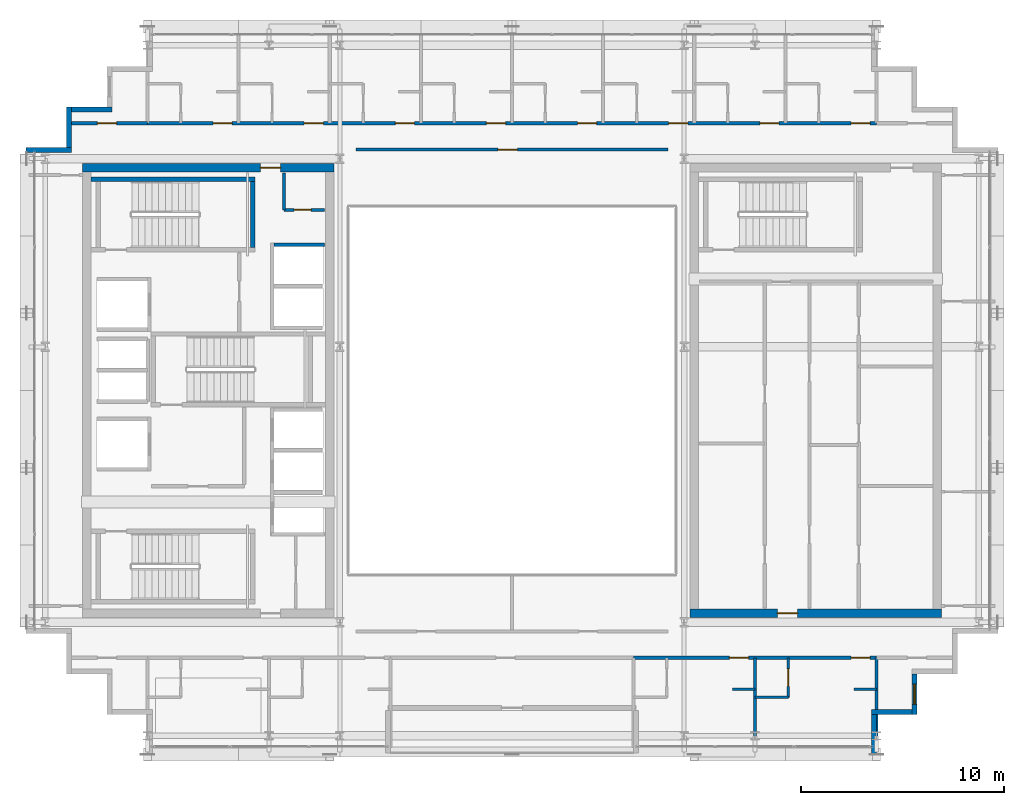
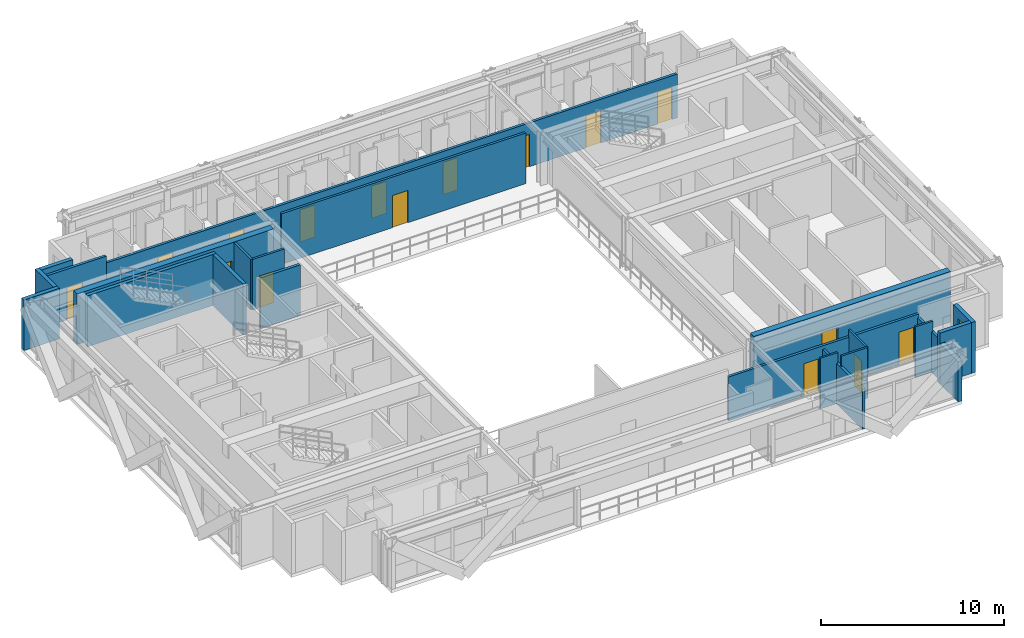
# One storey, part 21 of 28: 23 walls, 16 doors, 1 window, 17 openings.
"""IFC4 building model written with IfcOpenShell, lengths in metres."""

import ifcopenshell
import ifcopenshell.guid

model = None  # the IFC model being written
_history = None  # IfcOwnerHistory: only IFC2X3 demands one
_inside = {}  # id of a spatial element -> (the spatial element, [elements in it])
_under = {}  # id of a project, library or spatial element -> (it, [spatial elements below it])
_declared = {}  # id of a project -> (the project, [libraries it declares])
_typed = {}  # id of a type object -> (the type object, [elements of that type])
_made_of = {}  # id of a material, layer set ... -> (it, [elements and type objects made of it])


def new_model(schema):
    """Start an empty IFC model of exactly this schema.

    Asked for "IFC4X3", IfcOpenShell would pick the latest addendum, in which some entities
    have other attributes; the version numbers below select the first issue.
    IFC2X3 requires an IfcOwnerHistory on every rooted entity: one is made here for all.
    """
    global model, _history
    if schema == "IFC4X3":
        model = ifcopenshell.file(schema_version=(4, 3, 0, 0))
    else:
        model = ifcopenshell.file(schema=schema)
    _inside.clear()
    _under.clear()
    _declared.clear()
    _typed.clear()
    _made_of.clear()
    _history = None
    if model.schema == "IFC2X3":
        org = make("IfcOrganization", Name="unknown")
        user = make(
            "IfcPersonAndOrganization",
            ThePerson=make("IfcPerson", FamilyName="unknown"),
            TheOrganization=org,
        )
        app = make(
            "IfcApplication",
            ApplicationDeveloper=org,
            Version="unknown",
            ApplicationFullName="unknown",
            ApplicationIdentifier="unknown",
        )
        _history = make(
            "IfcOwnerHistory",
            OwningUser=user,
            OwningApplication=app,
            ChangeAction="ADDED",
            CreationDate=0,
        )
    return model


def make(cls, **values):
    """One entity of the class cls with the attributes given. An attribute that is None is left unset."""
    return model.create_entity(
        cls, **{name: value for name, value in values.items() if value is not None}
    )


def rooted(cls, **values):
    """An entity with a GlobalId (a new one), such as an element, a storey or a relation."""
    return make(cls, GlobalId=ifcopenshell.guid.new(), OwnerHistory=_history, **values)


def si_unit(unit_type, name, prefix=None):
    """IfcSIUnit, for example si_unit("LENGTHUNIT", "METRE", prefix="MILLI")."""
    return make("IfcSIUnit", UnitType=unit_type, Prefix=prefix, Name=name)


def assignment(units):
    """IfcUnitAssignment: the units of a project."""
    return None if units is None else make("IfcUnitAssignment", Units=units)


def point(xyz):
    """IfcCartesianPoint."""
    return None if xyz is None else make("IfcCartesianPoint", Coordinates=xyz)


def direction(xyz):
    """IfcDirection."""
    return None if xyz is None else make("IfcDirection", DirectionRatios=xyz)


def frame(location, z_axis=None, x_axis=None):
    """IfcAxis2Placement3D, a coordinate frame: its origin and axes. An axis left out is left unset."""
    return make(
        "IfcAxis2Placement3D",
        Location=point(location),
        Axis=direction(z_axis),
        RefDirection=direction(x_axis),
    )


def frame_2d(location, x_axis=None):
    """IfcAxis2Placement2D, a coordinate frame in the plane: its origin and x axis."""
    return make(
        "IfcAxis2Placement2D", Location=point(location), RefDirection=direction(x_axis)
    )


def origin():
    """The frame at (0, 0, 0) with its axes left unset."""
    return frame((0.0, 0.0, 0.0))


def place(relative_to, where):
    """IfcLocalPlacement: puts the frame where relative to a parent placement (None: the world)."""
    return make(
        "IfcLocalPlacement", PlacementRelTo=relative_to, RelativePlacement=where
    )


def context(
    kind, dimensions, precision=None, world=None, true_north=None, identifier=None
):
    """IfcGeometricRepresentationContext, for example the 3D "Model" context."""
    return make(
        "IfcGeometricRepresentationContext",
        ContextIdentifier=identifier,
        ContextType=kind,
        CoordinateSpaceDimension=dimensions,
        Precision=precision,
        WorldCoordinateSystem=world,
        TrueNorth=true_north,
    )


def subcontext(parent, identifier, kind, view, scale=None):
    """IfcGeometricRepresentationSubContext, for example "Body" below "Model"."""
    return make(
        "IfcGeometricRepresentationSubContext",
        ContextIdentifier=identifier,
        ContextType=kind,
        ParentContext=parent,
        TargetScale=scale,
        TargetView=view,
    )


def project(units=None, contexts=None):
    """IfcProject with its units and contexts."""
    return rooted(
        "IfcProject",
        Name="project",
        RepresentationContexts=contexts,
        UnitsInContext=assignment(units),
    )


def spatial(cls, under=None, at=None, **own):
    """A site, building, storey or space (cls), placed at a placement, below another one or the project."""
    s = rooted(cls, ObjectPlacement=at, **own)
    if under is not None:
        _under.setdefault(under.id(), (under, []))[1].append(s)
    return s


def profile(cls, at=None, kind="AREA", **sizes):
    """A parametric profile (cls). Its sizes go by their IFC names, for example OverallWidth=200.0."""
    return make(cls, ProfileType=kind, Position=at, **sizes)


def rectangle(**sizes):
    """IfcRectangleProfileDef."""
    return profile("IfcRectangleProfileDef", **sizes)


def extrude(swept, where, along, depth):
    """IfcExtrudedAreaSolid: the profile swept, set in the frame where, extruded along a direction by depth."""
    return make(
        "IfcExtrudedAreaSolid",
        SweptArea=swept,
        Position=where,
        ExtrudedDirection=direction(along),
        Depth=depth,
    )


def shape(context_of_items, identifier, shape_type, items):
    """IfcShapeRepresentation: the items that make up one representation, for example the "Body"."""
    return make(
        "IfcShapeRepresentation",
        ContextOfItems=context_of_items,
        RepresentationIdentifier=identifier,
        RepresentationType=shape_type,
        Items=items,
    )


def source(mapping_origin, context_of_items, identifier, shape_type, items):
    """IfcRepresentationMap: a shape defined once, which mapped items show again and again."""
    return make(
        "IfcRepresentationMap",
        MappingOrigin=mapping_origin,
        MappedRepresentation=shape(context_of_items, identifier, shape_type, items),
    )


def transform(
    local_origin,
    x_axis=None,
    y_axis=None,
    z_axis=None,
    scale=None,
    scale2=None,
    scale3=None,
    uniform=True,
):
    """IfcCartesianTransformationOperator3D, or its non-uniform kind. x_axis, y_axis, z_axis: its Axis1, 2, 3."""
    if uniform:
        return make(
            "IfcCartesianTransformationOperator3D",
            Axis1=direction(x_axis),
            Axis2=direction(y_axis),
            LocalOrigin=point(local_origin),
            Scale=scale,
            Axis3=direction(z_axis),
        )
    return make(
        "IfcCartesianTransformationOperator3DnonUniform",
        Axis1=direction(x_axis),
        Axis2=direction(y_axis),
        LocalOrigin=point(local_origin),
        Scale=scale,
        Axis3=direction(z_axis),
        Scale2=scale2,
        Scale3=scale3,
    )


def mapped(mapping_source, mapping_target):
    """IfcMappedItem: shows the shape of a source again, moved by a transform."""
    return make(
        "IfcMappedItem", MappingSource=mapping_source, MappingTarget=mapping_target
    )


def material(Name=None, Category=None):
    """IfcMaterial."""
    return make("IfcMaterial", Name=Name, Category=Category)


def layer(
    of_material, thickness, ventilated=None, Name=None, Category=None, Priority=None
):
    """IfcMaterialLayer: one layer of a wall or slab, of a material (None: an air gap)."""
    return make(
        "IfcMaterialLayer",
        Material=of_material,
        LayerThickness=thickness,
        IsVentilated=ventilated,
        Name=Name,
        Category=Category,
        Priority=Priority,
    )


def layer_set(layers, Name=None):
    """IfcMaterialLayerSet."""
    return make("IfcMaterialLayerSet", MaterialLayers=layers, LayerSetName=Name)


def made_of(thing, what):
    """Note that an element or type object is made of a material, layer set ...; save() writes the relation."""
    if what is not None:
        _made_of.setdefault(what.id(), (what, []))[1].append(thing)
    return thing


def type_object(cls, material=None, **own):
    """A type object (cls), such as IfcWallType, which elements share."""
    return made_of(rooted(cls, **own), material)


def element(
    cls,
    number,
    at=None,
    inside=None,
    cuts=None,
    type_object=None,
    material=None,
    context=None,
    identifier="Body",
    shape_type=None,
    held_by="IfcProductDefinitionShape",
    body=None,
    shapes=None,
    **own,
):
    """One element of the class cls, such as IfcWall. Its Tag is "e" and its number.

    at: its placement. inside: the storey or other place that contains it. cuts: it is an
    opening in that element (IfcRelVoidsElement). A single representation is given by context,
    identifier, shape_type and body (its items); several are given by shapes. held_by: the class
    of the entity that holds the representations. save() writes the other relations.
    """
    e = rooted(cls, Tag="e%d" % number, ObjectPlacement=at, **own)
    if body is not None:
        shapes = [shape(context, identifier, shape_type, body)]
    if shapes is not None:
        e.Representation = make(held_by, Representations=shapes)
    if inside is not None:
        _inside.setdefault(inside.id(), (inside, []))[1].append(e)
    if cuts is not None:
        rooted(
            "IfcRelVoidsElement", RelatingBuildingElement=cuts, RelatedOpeningElement=e
        )
    if type_object is not None:
        _typed.setdefault(type_object.id(), (type_object, []))[1].append(e)
    return made_of(e, material)


def fill(opening, filler):
    """IfcRelFillsElement: the door or window that sits in an opening."""
    return rooted(
        "IfcRelFillsElement",
        RelatingOpeningElement=opening,
        RelatedBuildingElement=filler,
    )


def aggregate(whole, parts):
    """IfcRelAggregates: a whole, such as a stair, and the parts it consists of."""
    return rooted("IfcRelAggregates", RelatingObject=whole, RelatedObjects=parts)


def save(model, path):
    """Write the relations noted so far, then the file.

    IfcRelAggregates (storeys below a building ...), IfcRelContainedInSpatialStructure (elements
    in a storey), IfcRelDefinesByType, IfcRelAssociatesMaterial and IfcRelDeclares: one each for
    every whole, place, type object, material and project.
    """
    for whole, parts in _under.values():
        aggregate(whole, parts)
    for where, things in _inside.values():
        rooted(
            "IfcRelContainedInSpatialStructure",
            RelatedElements=things,
            RelatingStructure=where,
        )
    for kind, things in _typed.values():
        rooted("IfcRelDefinesByType", RelatedObjects=things, RelatingType=kind)
    for what, things in _made_of.values():
        rooted("IfcRelAssociatesMaterial", RelatedObjects=things, RelatingMaterial=what)
    for by, libraries in _declared.values():
        rooted("IfcRelDeclares", RelatingContext=by, RelatedDefinitions=libraries)
    model.write(path)


model = new_model("IFC4")

# Units and contexts
model_context = context("Model", 3, precision=1e-05, world=origin(), true_north=direction((0.0, 1.0)))
body_context = subcontext(model_context, "Body", "Model", "MODEL_VIEW")
ifc_project = project(units=[si_unit("LENGTHUNIT", "METRE"), si_unit("AREAUNIT", "SQUARE_METRE"), si_unit("VOLUMEUNIT", "CUBIC_METRE"), si_unit("PLANEANGLEUNIT", "RADIAN"), si_unit("MASSUNIT", "GRAM", prefix="KILO")], contexts=[model_context])

# Site, building, storey
site_placement = place(None, origin())
site = spatial("IfcSite", under=ifc_project, at=site_placement, CompositionType="ELEMENT")
building_placement = place(site_placement, origin())
building = spatial("IfcBuilding", under=site, at=building_placement, Name="Ocotamira Hotel", CompositionType="ELEMENT")
storey_placement = place(building_placement, frame((0.0, 0.0, 240.0)))
storey = spatial("IfcBuildingStorey", under=building, at=storey_placement, Name="L60", CompositionType="ELEMENT", Elevation=240.0)

# Wall, opening, door
ifc_material_1 = material(Name="Concrete C50/60", Category="concrete")
ifc_layer_1 = layer(ifc_material_1, 0.39990234375)
ifc_layer_set_1 = layer_set([ifc_layer_1], Name="Concrete C50/60")
wall_type_1 = type_object("IfcWallType", Name="WL-CORE-400", PredefinedType="SHEAR", material=ifc_layer_set_1)
wall_1_placement = place(storey_placement, frame((10.800048828125, 37.0, 0.0), z_axis=(0.0, 0.0, 1.0), x_axis=(1.0, 0.0, 0.0)))
wall_1 = element("IfcWall", 1, at=wall_1_placement, inside=storey, type_object=wall_type_1, Name="L60 Shear Core Wall WCORE-N", PredefinedType="SHEAR", context=body_context, shape_type="SweptSolid", body=[
    extrude(rectangle(XDim=12.39990234375, YDim=0.39990234375, at=frame_2d((6.199951171875, 0.0))), origin(), (0.0, 0.0, 1.0), 3.3798828125),
])
opening_1_placement = place(wall_1_placement, frame((8.780029296875, 0.0, 0.0)))
opening_1 = element("IfcOpeningElement", 2, at=opening_1_placement, cuts=wall_1, Name="Opening D-FR2", PredefinedType="OPENING", context=body_context, shape_type="SweptSolid", body=[
    extrude(rectangle(XDim=1.0, YDim=2.14990234375, at=frame_2d((0.5, 1.074951171875))), frame((0.0, 0.2099609375, 0.0), z_axis=(0.0, -1.0, 0.0), x_axis=(1.0, 0.0, 0.0)), (0.0, 0.0, 1.0), 0.419921875),
])
ifc_material_2 = material(Name="Fire-rated acoustic timber-veneer door", Category="wood")
door_type_1 = type_object("IfcDoorType", Name="DR-FIRE-1000", OperationType="NOTDEFINED", PredefinedType="DOOR", material=ifc_material_2)
shared_shape_1 = source(origin(), body_context, "Body", "SweptSolid", [
    extrude(rectangle(XDim=1.0, YDim=2.14990234375, at=frame_2d((0.5, 1.074951171875))), frame((0.0, 0.02490234375, 0.0), z_axis=(0.0, -1.0, 0.0), x_axis=(1.0, 0.0, 0.0)), (0.0, 0.0, 1.0), 0.050048828125),
])
door_1_placement = place(opening_1_placement, origin())
door_1 = element("IfcDoor", 3, at=door_1_placement, inside=storey, type_object=door_type_1, Name="L60 Door ID-L60-WLOB-N-D [ID-L60-WLOB-N-D]", OperationType="SINGLE_SWING_RIGHT", OverallHeight=2.14990234375, OverallWidth=1.0, PredefinedType="DOOR", context=body_context, shape_type="MappedRepresentation", body=[
    mapped(shared_shape_1, transform((0.0, 0.0, 0.0), scale=1.0)),
])
fill(opening_1, door_1)

wall_2_placement = place(storey_placement, frame((40.800048828125, 15.0, 0.0), z_axis=(0.0, 0.0, 1.0), x_axis=(1.0, 0.0, 0.0)))
wall_2 = element("IfcWall", 4, at=wall_2_placement, inside=storey, type_object=wall_type_1, Name="L60 Shear Core Wall ECORE-S", PredefinedType="SHEAR", context=body_context, shape_type="SweptSolid", body=[
    extrude(rectangle(XDim=12.39990234375, YDim=0.39990234375, at=frame_2d((6.199951171875, 0.0))), origin(), (0.0, 0.0, 1.0), 3.3798828125),
])
opening_2_placement = place(wall_2_placement, frame((4.300048828125, 0.0, 0.0)))
opening_2 = element("IfcOpeningElement", 5, at=opening_2_placement, cuts=wall_2, Name="Opening D-FR2", PredefinedType="OPENING", context=body_context, shape_type="SweptSolid", body=[
    extrude(rectangle(XDim=1.0, YDim=2.14990234375, at=frame_2d((0.5, 1.074951171875))), frame((0.0, 0.2099609375, 0.0), z_axis=(0.0, -1.0, 0.0), x_axis=(1.0, 0.0, 0.0)), (0.0, 0.0, 1.0), 0.419921875),
])
door_2_placement = place(opening_2_placement, origin())
door_2 = element("IfcDoor", 6, at=door_2_placement, inside=storey, type_object=door_type_1, Name="L60 Door ID-L60-ELOB-S-D [ID-L60-ELOB-S-D]", OperationType="SINGLE_SWING_RIGHT", OverallHeight=2.14990234375, OverallWidth=1.0, PredefinedType="DOOR", context=body_context, shape_type="MappedRepresentation", body=[
    mapped(shared_shape_1, transform((0.0, 0.0, 0.0), scale=1.0)),
])
fill(opening_2, door_2)

# Walls
ifc_material_3 = material(Name="Precast concrete C45/55", Category="concrete")
ifc_layer_2 = layer(ifc_material_3, 0.25)
ifc_layer_set_2 = layer_set([ifc_layer_2], Name="Precast concrete C45/55")
wall_type_2 = type_object("IfcWallType", Name="WL-EXT-SER-250", PredefinedType="SOLIDWALL", material=ifc_layer_set_2)
wall_3_placement = place(storey_placement, frame((49.875, 8.0, 0.0), z_axis=(0.0, 0.0, 1.0), x_axis=(0.0, 1.0, 0.0)))
element("IfcWall", 7, at=wall_3_placement, inside=storey, type_object=wall_type_2, Name="L60 Serrated Corner Wall 01", PredefinedType="SOLIDWALL", context=body_context, shape_type="SweptSolid", body=[
    extrude(rectangle(XDim=2.0, YDim=0.25, at=frame_2d((1.0, 0.0))), origin(), (0.0, 0.0, 1.0), 2.68701171875),
])
wall_4_placement = place(storey_placement, frame((49.75, 10.125, 0.0), z_axis=(0.0, 0.0, 1.0), x_axis=(1.0, 0.0, 0.0)))
element("IfcWall", 8, at=wall_4_placement, inside=storey, type_object=wall_type_2, Name="L60 Serrated Corner Wall 02", PredefinedType="SOLIDWALL", context=body_context, shape_type="SweptSolid", body=[
    extrude(rectangle(XDim=2.0, YDim=0.25, at=frame_2d((1.0, 0.0))), origin(), (0.0, 0.0, 1.0), 3.3798828125),
])

# Wall, opening, window
wall_5_placement = place(storey_placement, frame((51.875, 10.0, 0.0), z_axis=(0.0, 0.0, 1.0), x_axis=(0.0, 1.0, 0.0)))
wall_5 = element("IfcWall", 9, at=wall_5_placement, inside=storey, type_object=wall_type_2, Name="L60 Serrated Corner Wall 03", PredefinedType="SOLIDWALL", context=body_context, shape_type="SweptSolid", body=[
    extrude(rectangle(XDim=2.0, YDim=0.25, at=frame_2d((1.0, 0.0))), origin(), (0.0, 0.0, 1.0), 3.3798828125),
])
opening_3_placement = place(wall_5_placement, frame((0.5, 0.0, 0.85009765625)))
opening_3 = element("IfcOpeningElement", 10, at=opening_3_placement, cuts=wall_5, Name="Opening WN-2", PredefinedType="OPENING", context=body_context, shape_type="SweptSolid", body=[
    extrude(rectangle(XDim=1.0, YDim=1.89990234375, at=frame_2d((0.5, 0.949951171875))), frame((0.0, 0.135009765625, 0.0), z_axis=(0.0, -1.0, 0.0), x_axis=(1.0, 0.0, 0.0)), (0.0, 0.0, 1.0), 0.27001953125),
])
ifc_material_4 = material(Name="Double-silver low-E solar glass", Category="glass")
window_type = type_object("IfcWindowType", Name="WIN-SER-1100", PartitioningType="SINGLE_PANEL", PredefinedType="WINDOW", material=ifc_material_4)
shared_shape_2 = source(origin(), body_context, "Body", "SweptSolid", [
    extrude(rectangle(XDim=1.0, YDim=1.89990234375, at=frame_2d((0.5, 0.949951171875))), frame((0.0, 0.030029296875, 0.0), z_axis=(0.0, -1.0, 0.0), x_axis=(1.0, 0.0, 0.0)), (0.0, 0.0, 1.0), 0.06005859375),
])
window_placement = place(opening_3_placement, origin())
window = element("IfcWindow", 11, at=window_placement, inside=storey, type_object=window_type, Name="L60 Serrated Corner Window 03", OverallHeight=1.89990234375, OverallWidth=1.0, PartitioningType="SINGLE_PANEL", PredefinedType="WINDOW", context=body_context, shape_type="MappedRepresentation", body=[
    mapped(shared_shape_2, transform((0.0, 0.0, 0.0), scale=1.0)),
])
fill(opening_3, window)

# Walls
for number, where, z_axis, x_axis, name in (
    (12, (12.25, 39.875, 0.0), (0.0, 0.0, 1.0), (-1.0, 0.0, 0.0), "L60 Serrated Corner Wall 16"),
    (13, (10.125, 40.0, 0.0), (0.0, 0.0, 1.0), (0.0, -1.0, 0.0), "L60 Serrated Corner Wall 17"),
):
    element("IfcWall", number, at=place(storey_placement, frame(where, z_axis=z_axis, x_axis=x_axis)), inside=storey, type_object=wall_type_2, Name=name, PredefinedType="SOLIDWALL", context=body_context, shape_type="SweptSolid", body=[
        extrude(rectangle(XDim=2.0, YDim=0.25, at=frame_2d((1.0, 0.0))), origin(), (0.0, 0.0, 1.0), 3.3798828125),
    ])
wall_6_placement = place(storey_placement, frame((10.25, 37.875, 0.0), z_axis=(0.0, 0.0, 1.0), x_axis=(-1.0, 0.0, 0.0)))
element("IfcWall", 14, at=wall_6_placement, inside=storey, type_object=wall_type_2, Name="L60 Serrated Corner Wall 18", PredefinedType="SOLIDWALL", context=body_context, shape_type="SweptSolid", body=[
    extrude(rectangle(XDim=2.25, YDim=0.25, at=frame_2d((1.125, 0.0))), origin(), (0.0, 0.0, 1.0), 3.3798828125),
])

# Wall, openings, doors
ifc_material_5 = material(Name="Acoustic double-layer fire gypsum board partition", Category="gypsum")
ifc_layer_3 = layer(ifc_material_5, 0.159912109375)
ifc_layer_set_3 = layer_set([ifc_layer_3], Name="Acoustic double-layer fire gypsum board partition")
wall_type_3 = type_object("IfcWallType", Name="WL-FIRE-160", PredefinedType="PARTITIONING", material=ifc_layer_set_3)
wall_7_placement = place(storey_placement, frame((38.0, 12.800048828125, 0.0), z_axis=(0.0, 0.0, 1.0), x_axis=(1.0, 0.0, 0.0)))
wall_7 = element("IfcWall", 15, at=wall_7_placement, inside=storey, type_object=wall_type_3, Name="L60 Interior Wall PW-L60-Z4BSE-CORRW", PredefinedType="PARTITIONING", context=body_context, shape_type="SweptSolid", body=[
    extrude(rectangle(XDim=12.0, YDim=0.159912109375, at=frame_2d((6.0, 0.0))), origin(), (0.0, 0.0, 1.0), 2.923095703125),
])
opening_4_placement = place(wall_7_placement, frame((4.739990234375, 0.0, 0.0)))
opening_4 = element("IfcOpeningElement", 16, at=opening_4_placement, cuts=wall_7, Name="Opening D-GR1", PredefinedType="OPENING", context=body_context, shape_type="SweptSolid", body=[
    extrude(rectangle(XDim=0.93994140625, YDim=2.14990234375, at=frame_2d((0.469970703125, 1.074951171875))), frame((0.0, 0.08984375, 0.0), z_axis=(0.0, -1.0, 0.0), x_axis=(1.0, 0.0, 0.0)), (0.0, 0.0, 1.0), 0.179931640625),
])
opening_5_placement = place(wall_7_placement, frame((10.739990234375, 0.0, 0.0)))
opening_5 = element("IfcOpeningElement", 17, at=opening_5_placement, cuts=wall_7, Name="Opening D-GR1", PredefinedType="OPENING", context=body_context, shape_type="SweptSolid", body=[
    extrude(rectangle(XDim=0.93994140625, YDim=2.14990234375, at=frame_2d((0.469970703125, 1.074951171875))), frame((0.0, 0.08984375, 0.0), z_axis=(0.0, -1.0, 0.0), x_axis=(1.0, 0.0, 0.0)), (0.0, 0.0, 1.0), 0.179931640625),
])
ifc_material_6 = material(Name="Solid-core walnut suite entrance fire door", Category="wood")
door_type_2 = type_object("IfcDoorType", Name="DR-GUEST-940", OperationType="NOTDEFINED", PredefinedType="DOOR", material=ifc_material_6)
shared_shape_3 = source(origin(), body_context, "Body", "SweptSolid", [
    extrude(rectangle(XDim=0.93994140625, YDim=2.14990234375, at=frame_2d((0.469970703125, 1.074951171875))), frame((0.0, 0.02490234375, 0.0), z_axis=(0.0, -1.0, 0.0), x_axis=(1.0, 0.0, 0.0)), (0.0, 0.0, 1.0), 0.050048828125),
])
door_3_placement = place(opening_4_placement, origin())
door_3 = element("IfcDoor", 18, at=door_3_placement, inside=storey, type_object=door_type_2, Name="L60 Door ID-L60-Z4BSE-RMD1 [ID-L60-Z4BSE-RMD1]", OperationType="SINGLE_SWING_LEFT", OverallHeight=2.14990234375, OverallWidth=0.93994140625, PredefinedType="DOOR", context=body_context, shape_type="MappedRepresentation", body=[
    mapped(shared_shape_3, transform((0.0, 0.0, 0.0), scale=1.0)),
])
fill(opening_4, door_3)
door_4_placement = place(opening_5_placement, origin())
door_4 = element("IfcDoor", 19, at=door_4_placement, inside=storey, type_object=door_type_2, Name="L60 Door ID-L60-Z4BSE-RMD2 [ID-L60-Z4BSE-RMD2]", OperationType="SINGLE_SWING_RIGHT", OverallHeight=2.14990234375, OverallWidth=0.93994140625, PredefinedType="DOOR", context=body_context, shape_type="MappedRepresentation", body=[
    mapped(shared_shape_3, transform((0.0, 0.0, 0.0), scale=1.0)),
])
fill(opening_5, door_4)

wall_8_placement = place(storey_placement, frame((14.0, 39.199951171875, 0.0), z_axis=(0.0, 0.0, 1.0), x_axis=(1.0, 0.0, 0.0)))
wall_8 = element("IfcWall", 20, at=wall_8_placement, inside=storey, type_object=wall_type_3, Name="L60 Interior Wall PW-L60-Z4BN-CORRW", PredefinedType="PARTITIONING", context=body_context, shape_type="SweptSolid", body=[
    extrude(rectangle(XDim=36.0, YDim=0.159912109375, at=frame_2d((18.0, 0.0))), origin(), (0.0, 0.0, 1.0), 2.923095703125),
])
opening_6_placement = place(wall_8_placement, frame((3.239990234375, 0.0, 0.0)))
opening_6 = element("IfcOpeningElement", 21, at=opening_6_placement, cuts=wall_8, Name="Opening D-GR1", PredefinedType="OPENING", context=body_context, shape_type="SweptSolid", body=[
    extrude(rectangle(XDim=0.93994140625, YDim=2.14990234375, at=frame_2d((0.469970703125, 1.074951171875))), frame((0.0, 0.08984375, 0.0), z_axis=(0.0, -1.0, 0.0), x_axis=(1.0, 0.0, 0.0)), (0.0, 0.0, 1.0), 0.179931640625),
])
opening_7_placement = place(wall_8_placement, frame((7.739990234375, 0.0, 0.0)))
opening_7 = element("IfcOpeningElement", 22, at=opening_7_placement, cuts=wall_8, Name="Opening D-GR1", PredefinedType="OPENING", context=body_context, shape_type="SweptSolid", body=[
    extrude(rectangle(XDim=0.93994140625, YDim=2.14990234375, at=frame_2d((0.469970703125, 1.074951171875))), frame((0.0, 0.08984375, 0.0), z_axis=(0.0, -1.0, 0.0), x_axis=(1.0, 0.0, 0.0)), (0.0, 0.0, 1.0), 0.179931640625),
])
opening_8_placement = place(wall_8_placement, frame((12.239990234375, 0.0, 0.0)))
opening_8 = element("IfcOpeningElement", 23, at=opening_8_placement, cuts=wall_8, Name="Opening D-GR1", PredefinedType="OPENING", context=body_context, shape_type="SweptSolid", body=[
    extrude(rectangle(XDim=0.93994140625, YDim=2.14990234375, at=frame_2d((0.469970703125, 1.074951171875))), frame((0.0, 0.08984375, 0.0), z_axis=(0.0, -1.0, 0.0), x_axis=(1.0, 0.0, 0.0)), (0.0, 0.0, 1.0), 0.179931640625),
])
opening_9_placement = place(wall_8_placement, frame((16.739990234375, 0.0, 0.0)))
opening_9 = element("IfcOpeningElement", 24, at=opening_9_placement, cuts=wall_8, Name="Opening D-GR1", PredefinedType="OPENING", context=body_context, shape_type="SweptSolid", body=[
    extrude(rectangle(XDim=0.93994140625, YDim=2.14990234375, at=frame_2d((0.469970703125, 1.074951171875))), frame((0.0, 0.08984375, 0.0), z_axis=(0.0, -1.0, 0.0), x_axis=(1.0, 0.0, 0.0)), (0.0, 0.0, 1.0), 0.179931640625),
])
opening_10_placement = place(wall_8_placement, frame((21.239990234375, 0.0, 0.0)))
opening_10 = element("IfcOpeningElement", 25, at=opening_10_placement, cuts=wall_8, Name="Opening D-GR1", PredefinedType="OPENING", context=body_context, shape_type="SweptSolid", body=[
    extrude(rectangle(XDim=0.93994140625, YDim=2.14990234375, at=frame_2d((0.469970703125, 1.074951171875))), frame((0.0, 0.08984375, 0.0), z_axis=(0.0, -1.0, 0.0), x_axis=(1.0, 0.0, 0.0)), (0.0, 0.0, 1.0), 0.179931640625),
])
opening_11_placement = place(wall_8_placement, frame((25.739990234375, 0.0, 0.0)))
opening_11 = element("IfcOpeningElement", 26, at=opening_11_placement, cuts=wall_8, Name="Opening D-GR1", PredefinedType="OPENING", context=body_context, shape_type="SweptSolid", body=[
    extrude(rectangle(XDim=0.93994140625, YDim=2.14990234375, at=frame_2d((0.469970703125, 1.074951171875))), frame((0.0, 0.08984375, 0.0), z_axis=(0.0, -1.0, 0.0), x_axis=(1.0, 0.0, 0.0)), (0.0, 0.0, 1.0), 0.179931640625),
])
opening_12_placement = place(wall_8_placement, frame((30.239990234375, 0.0, 0.0)))
opening_12 = element("IfcOpeningElement", 27, at=opening_12_placement, cuts=wall_8, Name="Opening D-GR1", PredefinedType="OPENING", context=body_context, shape_type="SweptSolid", body=[
    extrude(rectangle(XDim=0.93994140625, YDim=2.14990234375, at=frame_2d((0.469970703125, 1.074951171875))), frame((0.0, 0.08984375, 0.0), z_axis=(0.0, -1.0, 0.0), x_axis=(1.0, 0.0, 0.0)), (0.0, 0.0, 1.0), 0.179931640625),
])
opening_13_placement = place(wall_8_placement, frame((34.739990234375, 0.0, 0.0)))
opening_13 = element("IfcOpeningElement", 28, at=opening_13_placement, cuts=wall_8, Name="Opening D-GR1", PredefinedType="OPENING", context=body_context, shape_type="SweptSolid", body=[
    extrude(rectangle(XDim=0.93994140625, YDim=2.14990234375, at=frame_2d((0.469970703125, 1.074951171875))), frame((0.0, 0.08984375, 0.0), z_axis=(0.0, -1.0, 0.0), x_axis=(1.0, 0.0, 0.0)), (0.0, 0.0, 1.0), 0.179931640625),
])
door_5_placement = place(opening_6_placement, origin())
door_5 = element("IfcDoor", 29, at=door_5_placement, inside=storey, type_object=door_type_2, Name="L60 Door ID-L60-Z4BN-RMD1 [ID-L60-Z4BN-RMD1]", OperationType="SINGLE_SWING_LEFT", OverallHeight=2.14990234375, OverallWidth=0.93994140625, PredefinedType="DOOR", context=body_context, shape_type="MappedRepresentation", body=[
    mapped(shared_shape_3, transform((0.0, 0.0, 0.0), scale=1.0)),
])
fill(opening_6, door_5)
door_6_placement = place(opening_7_placement, origin())
door_6 = element("IfcDoor", 30, at=door_6_placement, inside=storey, type_object=door_type_2, Name="L60 Door ID-L60-Z4BN-RMD2 [ID-L60-Z4BN-RMD2]", OperationType="SINGLE_SWING_RIGHT", OverallHeight=2.14990234375, OverallWidth=0.93994140625, PredefinedType="DOOR", context=body_context, shape_type="MappedRepresentation", body=[
    mapped(shared_shape_3, transform((0.0, 0.0, 0.0), scale=1.0)),
])
fill(opening_7, door_6)
door_7_placement = place(opening_8_placement, origin())
door_7 = element("IfcDoor", 31, at=door_7_placement, inside=storey, type_object=door_type_2, Name="L60 Door ID-L60-Z4BN-RMD3 [ID-L60-Z4BN-RMD3]", OperationType="SINGLE_SWING_LEFT", OverallHeight=2.14990234375, OverallWidth=0.93994140625, PredefinedType="DOOR", context=body_context, shape_type="MappedRepresentation", body=[
    mapped(shared_shape_3, transform((0.0, 0.0, 0.0), scale=1.0)),
])
fill(opening_8, door_7)
door_8_placement = place(opening_9_placement, origin())
door_8 = element("IfcDoor", 32, at=door_8_placement, inside=storey, type_object=door_type_2, Name="L60 Door ID-L60-Z4BN-RMD4 [ID-L60-Z4BN-RMD4]", OperationType="SINGLE_SWING_RIGHT", OverallHeight=2.14990234375, OverallWidth=0.93994140625, PredefinedType="DOOR", context=body_context, shape_type="MappedRepresentation", body=[
    mapped(shared_shape_3, transform((0.0, 0.0, 0.0), scale=1.0)),
])
fill(opening_9, door_8)
door_9_placement = place(opening_10_placement, origin())
door_9 = element("IfcDoor", 33, at=door_9_placement, inside=storey, type_object=door_type_2, Name="L60 Door ID-L60-Z4BN-RMD5 [ID-L60-Z4BN-RMD5]", OperationType="SINGLE_SWING_LEFT", OverallHeight=2.14990234375, OverallWidth=0.93994140625, PredefinedType="DOOR", context=body_context, shape_type="MappedRepresentation", body=[
    mapped(shared_shape_3, transform((0.0, 0.0, 0.0), scale=1.0)),
])
fill(opening_10, door_9)
door_10_placement = place(opening_11_placement, origin())
door_10 = element("IfcDoor", 34, at=door_10_placement, inside=storey, type_object=door_type_2, Name="L60 Door ID-L60-Z4BN-RMD6 [ID-L60-Z4BN-RMD6]", OperationType="SINGLE_SWING_RIGHT", OverallHeight=2.14990234375, OverallWidth=0.93994140625, PredefinedType="DOOR", context=body_context, shape_type="MappedRepresentation", body=[
    mapped(shared_shape_3, transform((0.0, 0.0, 0.0), scale=1.0)),
])
fill(opening_11, door_10)
door_11_placement = place(opening_12_placement, origin())
door_11 = element("IfcDoor", 35, at=door_11_placement, inside=storey, type_object=door_type_2, Name="L60 Door ID-L60-Z4BN-RMD7 [ID-L60-Z4BN-RMD7]", OperationType="SINGLE_SWING_LEFT", OverallHeight=2.14990234375, OverallWidth=0.93994140625, PredefinedType="DOOR", context=body_context, shape_type="MappedRepresentation", body=[
    mapped(shared_shape_3, transform((0.0, 0.0, 0.0), scale=1.0)),
])
fill(opening_12, door_11)
door_12_placement = place(opening_13_placement, origin())
door_12 = element("IfcDoor", 36, at=door_12_placement, inside=storey, type_object=door_type_2, Name="L60 Door ID-L60-Z4BN-RMD8 [ID-L60-Z4BN-RMD8]", OperationType="SINGLE_SWING_RIGHT", OverallHeight=2.14990234375, OverallWidth=0.93994140625, PredefinedType="DOOR", context=body_context, shape_type="MappedRepresentation", body=[
    mapped(shared_shape_3, transform((0.0, 0.0, 0.0), scale=1.0)),
])
fill(opening_13, door_12)

# Wall, opening, door
wall_9_placement = place(storey_placement, frame((10.0, 39.199951171875, 0.0), z_axis=(0.0, 0.0, 1.0), x_axis=(1.0, 0.0, 0.0)))
wall_9 = element("IfcWall", 37, at=wall_9_placement, inside=storey, type_object=wall_type_3, Name="L60 Interior Wall PW-L60-Z4CNW-CW", PredefinedType="PARTITIONING", context=body_context, shape_type="SweptSolid", body=[
    extrude(rectangle(XDim=4.0, YDim=0.159912109375, at=frame_2d((2.0, 0.0))), origin(), (0.0, 0.0, 1.0), 3.3798828125),
])
opening_14_placement = place(wall_9_placement, frame((1.52001953125, 0.0, 0.0)))
opening_14 = element("IfcOpeningElement", 38, at=opening_14_placement, cuts=wall_9, Name="Opening D-SV4", PredefinedType="OPENING", context=body_context, shape_type="SweptSolid", body=[
    extrude(rectangle(XDim=0.9599609375, YDim=2.14990234375, at=frame_2d((0.47998046875, 1.074951171875))), frame((0.0, 0.08984375, 0.0), z_axis=(0.0, -1.0, 0.0), x_axis=(1.0, 0.0, 0.0)), (0.0, 0.0, 1.0), 0.179931640625),
])
ifc_material_7 = material(Name="Fire-rated accessible walnut salon door", Category="wood")
door_type_3 = type_object("IfcDoorType", Name="DR-SERV-960", OperationType="NOTDEFINED", PredefinedType="DOOR", material=ifc_material_7)
shared_shape_4 = source(origin(), body_context, "Body", "SweptSolid", [
    extrude(rectangle(XDim=0.9599609375, YDim=2.14990234375, at=frame_2d((0.47998046875, 1.074951171875))), frame((0.0, 0.02490234375, 0.0), z_axis=(0.0, -1.0, 0.0), x_axis=(1.0, 0.0, 0.0)), (0.0, 0.0, 1.0), 0.050048828125),
])
door_13_placement = place(opening_14_placement, origin())
door_13 = element("IfcDoor", 39, at=door_13_placement, inside=storey, type_object=door_type_3, Name="L60 Door ID-L60-Z4CNW-CD [ID-L60-Z4CNW-CD]", OperationType="SINGLE_SWING_LEFT", OverallHeight=2.14990234375, OverallWidth=0.9599609375, PredefinedType="DOOR", context=body_context, shape_type="MappedRepresentation", body=[
    mapped(shared_shape_4, transform((0.0, 0.0, 0.0), scale=1.0)),
])
fill(opening_14, door_13)

# Wall
ifc_material_8 = material(Name="Moisture-resistant en-suite tile and gypsum partition", Category="gypsum")
ifc_layer_4 = layer(ifc_material_8, 0.1201171875)
ifc_layer_set_4 = layer_set([ifc_layer_4], Name="Moisture-resistant en-suite tile and gypsum partition")
wall_type_4 = type_object("IfcWallType", Name="WL-PART-120", PredefinedType="PARTITIONING", material=ifc_layer_set_4)
wall_10_placement = place(storey_placement, frame((42.89990234375, 11.25, 0.0), z_axis=(0.0, 0.0, 1.0), x_axis=(1.0, 0.0, 0.0)))
element("IfcWall", 40, at=wall_10_placement, inside=storey, type_object=wall_type_4, Name="L60 Interior Wall PW-L60-Z4BSE-DRN1", PredefinedType="PARTITIONING", context=body_context, shape_type="SweptSolid", body=[
    extrude(rectangle(XDim=1.10009765625, YDim=0.1201171875, at=frame_2d((0.550048828125, 0.0))), origin(), (0.0, 0.0, 1.0), 3.3798828125),
])

# Wall, opening, door
wall_11_placement = place(storey_placement, frame((45.64990234375, 10.85009765625, 0.0), z_axis=(0.0, 0.0, 1.0), x_axis=(0.0, 1.0, 0.0)))
wall_11 = element("IfcWall", 41, at=wall_11_placement, inside=storey, type_object=wall_type_4, Name="L60 Interior Wall PW-L60-Z4BSE-BAE2", PredefinedType="PARTITIONING", context=body_context, shape_type="SweptSolid", body=[
    extrude(rectangle(XDim=1.949951171875, YDim=0.1201171875, at=frame_2d((0.97509765625, 0.0))), origin(), (0.0, 0.0, 1.0), 3.3798828125),
])
opening_15_placement = place(wall_11_placement, frame((0.544921875, 0.0, 0.0)))
opening_15 = element("IfcOpeningElement", 42, at=opening_15_placement, cuts=wall_11, Name="Opening D-BA1", PredefinedType="OPENING", context=body_context, shape_type="SweptSolid", body=[
    extrude(rectangle(XDim=0.860107421875, YDim=2.10009765625, at=frame_2d((0.43017578125, 1.050048828125))), frame((0.0, 0.070068359375, 0.0), z_axis=(0.0, -1.0, 0.0), x_axis=(1.0, 0.0, 0.0)), (0.0, 0.0, 1.0), 0.14013671875),
])
ifc_material_9 = material(Name="Moisture-sealed en-suite timber door", Category="wood")
door_type_4 = type_object("IfcDoorType", Name="DR-BATH-860", OperationType="NOTDEFINED", PredefinedType="DOOR", material=ifc_material_9)
shared_shape_5 = source(origin(), body_context, "Body", "SweptSolid", [
    extrude(rectangle(XDim=0.860107421875, YDim=2.10009765625, at=frame_2d((0.43017578125, 1.050048828125))), frame((0.0, 0.02490234375, 0.0), z_axis=(0.0, -1.0, 0.0), x_axis=(1.0, 0.0, 0.0)), (0.0, 0.0, 1.0), 0.050048828125),
])
door_14_placement = place(opening_15_placement, origin())
door_14 = element("IfcDoor", 43, at=door_14_placement, inside=storey, type_object=door_type_4, Name="L60 Door ID-L60-Z4BSE-BAD2 [ID-L60-Z4BSE-BAD2]", OperationType="SINGLE_SWING_LEFT", OverallHeight=2.10009765625, OverallWidth=0.860107421875, PredefinedType="DOOR", context=body_context, shape_type="MappedRepresentation", body=[
    mapped(shared_shape_5, transform((0.0, 0.0, 0.0), scale=1.0)),
])
fill(opening_15, door_14)

# Walls
wall_12_placement = place(storey_placement, frame((44.0, 10.85009765625, 0.0), z_axis=(0.0, 0.0, 1.0), x_axis=(1.0, 0.0, 0.0)))
element("IfcWall", 44, at=wall_12_placement, inside=storey, type_object=wall_type_4, Name="L60 Interior Wall PW-L60-Z4BSE-BAS2", PredefinedType="PARTITIONING", context=body_context, shape_type="SweptSolid", body=[
    extrude(rectangle(XDim=1.64990234375, YDim=0.1201171875, at=frame_2d((0.824951171875, 0.0))), origin(), (0.0, 0.0, 1.0), 3.3798828125),
])
wall_13_placement = place(storey_placement, frame((48.89990234375, 11.25, 0.0), z_axis=(0.0, 0.0, 1.0), x_axis=(1.0, 0.0, 0.0)))
element("IfcWall", 45, at=wall_13_placement, inside=storey, type_object=wall_type_4, Name="L60 Interior Wall PW-L60-Z4BSE-DRN2", PredefinedType="PARTITIONING", context=body_context, shape_type="SweptSolid", body=[
    extrude(rectangle(XDim=1.10009765625, YDim=0.1201171875, at=frame_2d((0.550048828125, 0.0))), origin(), (0.0, 0.0, 1.0), 3.3798828125),
])
ifc_material_10 = material(Name="Acoustic hospitality gypsum board partition", Category="gypsum")
ifc_layer_5 = layer(ifc_material_10, 0.14208984375)
ifc_layer_set_5 = layer_set([ifc_layer_5], Name="Acoustic hospitality gypsum board partition")
wall_type_5 = type_object("IfcWallType", Name="WL-PART-142", PredefinedType="PARTITIONING", material=ifc_layer_set_5)
wall_14_placement = place(storey_placement, frame((20.739990234375, 34.919921875, 0.0), z_axis=(0.0, 0.0, 1.0), x_axis=(0.0, 1.0, 0.0)))
element("IfcWall", 46, at=wall_14_placement, inside=storey, type_object=wall_type_5, Name="L60 Interior Wall PW-L60-WC-NE-W1", PredefinedType="PARTITIONING", context=body_context, shape_type="SweptSolid", body=[
    extrude(rectangle(XDim=1.830078125, YDim=0.14208984375, at=frame_2d((0.9150390625, 0.0))), origin(), (0.0, 0.0, 1.0), 3.3798828125),
])

# Wall, opening, door
wall_15_placement = place(storey_placement, frame((20.739990234375, 34.919921875, 0.0), z_axis=(0.0, 0.0, 1.0), x_axis=(1.0, 0.0, 0.0)))
wall_15 = element("IfcWall", 47, at=wall_15_placement, inside=storey, type_object=wall_type_5, Name="L60 Interior Wall PW-L60-WC-NE-S1", PredefinedType="PARTITIONING", context=body_context, shape_type="SweptSolid", body=[
    extrude(rectangle(XDim=2.010009765625, YDim=0.14208984375, at=frame_2d((1.0048828125, 0.0))), origin(), (0.0, 0.0, 1.0), 3.3798828125),
])
opening_16_placement = place(wall_15_placement, frame((0.5, 0.0, 0.0)))
opening_16 = element("IfcOpeningElement", 48, at=opening_16_placement, cuts=wall_15, Name="Opening D-SV1", PredefinedType="OPENING", context=body_context, shape_type="SweptSolid", body=[
    extrude(rectangle(XDim=0.840087890625, YDim=2.10009765625, at=frame_2d((0.419921875, 1.050048828125))), frame((0.0, 0.0810546875, 0.0), z_axis=(0.0, -1.0, 0.0), x_axis=(1.0, 0.0, 0.0)), (0.0, 0.0, 1.0), 0.162109375),
])
ifc_material_11 = material(Name="Fire-rated painted steel service door", Category="steel")
door_type_5 = type_object("IfcDoorType", Name="DR-SERV-840", OperationType="NOTDEFINED", PredefinedType="DOOR", material=ifc_material_11)
shared_shape_6 = source(origin(), body_context, "Body", "SweptSolid", [
    extrude(rectangle(XDim=0.840087890625, YDim=2.10009765625, at=frame_2d((0.419921875, 1.050048828125))), frame((0.0, 0.02490234375, 0.0), z_axis=(0.0, -1.0, 0.0), x_axis=(1.0, 0.0, 0.0)), (0.0, 0.0, 1.0), 0.050048828125),
])
door_15_placement = place(opening_16_placement, origin())
door_15 = element("IfcDoor", 49, at=door_15_placement, inside=storey, type_object=door_type_5, Name="L60 Door ID-L60-WC-NE-D1 [ID-L60-WC-NE-D1]", OperationType="SINGLE_SWING_LEFT", OverallHeight=2.10009765625, OverallWidth=0.840087890625, PredefinedType="DOOR", context=body_context, shape_type="MappedRepresentation", body=[
    mapped(shared_shape_6, transform((0.0, 0.0, 0.0), scale=1.0)),
])
fill(opening_16, door_15)

ifc_layer_6 = layer(ifc_material_10, 0.14990234375)
ifc_layer_set_6 = layer_set([ifc_layer_6], Name="Acoustic hospitality gypsum board partition")
wall_type_6 = type_object("IfcWallType", Name="WL-PART-150", PredefinedType="PARTITIONING", material=ifc_layer_set_6)
wall_16_placement = place(storey_placement, frame((24.300048828125, 37.89990234375, 0.0), z_axis=(0.0, 0.0, 1.0), x_axis=(1.0, 0.0, 0.0)))
wall_16 = element("IfcWall", 50, at=wall_16_placement, inside=storey, type_object=wall_type_6, Name="L60 Interior Wall PW-L60-Z4B-ATRNS", PredefinedType="PARTITIONING", context=body_context, shape_type="SweptSolid", body=[
    extrude(rectangle(XDim=15.39990234375, YDim=0.14990234375, at=frame_2d((7.699951171875, 0.0))), origin(), (0.0, 0.0, 1.0), 3.3798828125),
])
opening_17_placement = place(wall_16_placement, frame((7.0, 0.0, 0.0)))
opening_17 = element("IfcOpeningElement", 51, at=opening_17_placement, cuts=wall_16, Name="Opening D-SV4", PredefinedType="OPENING", context=body_context, shape_type="SweptSolid", body=[
    extrude(rectangle(XDim=0.9599609375, YDim=2.14990234375, at=frame_2d((0.47998046875, 1.074951171875))), frame((0.0, 0.0849609375, 0.0), z_axis=(0.0, -1.0, 0.0), x_axis=(1.0, 0.0, 0.0)), (0.0, 0.0, 1.0), 0.169921875),
])
door_16_placement = place(opening_17_placement, origin())
door_16 = element("IfcDoor", 52, at=door_16_placement, inside=storey, type_object=door_type_3, Name="L60 Door ID-L60-Z4B-AND [ID-L60-Z4B-AND]", OperationType="SINGLE_SWING_RIGHT", OverallHeight=2.14990234375, OverallWidth=0.9599609375, PredefinedType="DOOR", context=body_context, shape_type="MappedRepresentation", body=[
    mapped(shared_shape_4, transform((0.0, 0.0, 0.0), scale=1.0)),
])
fill(opening_17, door_16)

# Walls
ifc_material_12 = material(Name="Acoustic double-stud hospitality gypsum partition", Category="gypsum")
ifc_layer_7 = layer(ifc_material_12, 0.159912109375)
ifc_layer_set_7 = layer_set([ifc_layer_7], Name="Acoustic double-stud hospitality gypsum partition")
wall_type_7 = type_object("IfcWallType", Name="WL-PART-160", PredefinedType="PARTITIONING", material=ifc_layer_set_7)
for number, where, z_axis, x_axis, name in (
    (53, (50.0, 8.360107421875, 0.0), (0.0, 0.0, 1.0), (0.0, 1.0, 0.0), "L60 Interior Wall PW-L60-Z4BSE-PWEND"),
    (54, (44.0, 8.360107421875, 0.0), (0.0, 0.0, 1.0), (0.0, 1.0, 0.0), "L60 Interior Wall PW-L60-Z4BSE-PW1"),
):
    element("IfcWall", number, at=place(storey_placement, frame(where, z_axis=z_axis, x_axis=x_axis)), inside=storey, type_object=wall_type_7, Name=name, PredefinedType="PARTITIONING", context=body_context, shape_type="SweptSolid", body=[
        extrude(rectangle(XDim=4.43994140625, YDim=0.159912109375, at=frame_2d((2.219970703125, 0.0))), origin(), (0.0, 0.0, 1.0), 2.68701171875),
    ])
ifc_material_13 = material(Name="Fire-rated gypsum shaftliner board assembly", Category="gypsum")
ifc_layer_8 = layer(ifc_material_13, 0.179931640625)
ifc_layer_set_8 = layer_set([ifc_layer_8], Name="Fire-rated gypsum shaftliner board assembly")
wall_type_8 = type_object("IfcWallType", Name="WL-SHAFT-180", PredefinedType="SOLIDWALL", material=ifc_layer_set_8)
wall_17_placement = place(storey_placement, frame((20.25, 33.199951171875, 0.0), z_axis=(0.0, 0.0, 1.0), x_axis=(1.0, 0.0, 0.0)))
element("IfcWall", 55, at=wall_17_placement, inside=storey, type_object=wall_type_8, Name="L60 Interior Wall PW-L60-LFW-BANK-obs-N", PredefinedType="SOLIDWALL", context=body_context, shape_type="SweptSolid", body=[
    extrude(rectangle(XDim=2.5, YDim=0.179931640625, at=frame_2d((1.25, 0.0))), origin(), (0.0, 0.0, 1.0), 3.3798828125),
])
ifc_layer_9 = layer(ifc_material_1, 0.219970703125)
ifc_layer_set_9 = layer_set([ifc_layer_9], Name="Concrete C50/60")
wall_type_9 = type_object("IfcWallType", Name="WL-STAIR-220", PredefinedType="SHEAR", material=ifc_layer_set_9)
wall_18_placement = place(storey_placement, frame((11.199951171875, 36.43994140625, 0.0), z_axis=(0.0, 0.0, 1.0), x_axis=(1.0, 0.0, 0.0)))
element("IfcWall", 56, at=wall_18_placement, inside=storey, type_object=wall_type_9, Name="L60 Stair Shaft Structural Wall ST-2-N", PredefinedType="SHEAR", context=body_context, shape_type="SweptSolid", body=[
    extrude(rectangle(XDim=8.110107421875, YDim=0.219970703125, at=frame_2d((4.05517578125, 0.0))), origin(), (0.0, 0.0, 1.0), 3.39990234375),
])
wall_19_placement = place(storey_placement, frame((19.199951171875, 33.050048828125, 0.0), z_axis=(0.0, 0.0, 1.0), x_axis=(0.0, 1.0, 0.0)))
element("IfcWall", 57, at=wall_19_placement, inside=storey, type_object=wall_type_9, Name="L60 Stair Shaft Structural Wall ST-2-E", PredefinedType="SHEAR", context=body_context, shape_type="SweptSolid", body=[
    extrude(rectangle(XDim=3.280029296875, YDim=0.219970703125, at=frame_2d((1.64013671875, 0.0))), origin(), (0.0, 0.0, 1.0), 3.39990234375),
])

save(model, "model.ifc")
